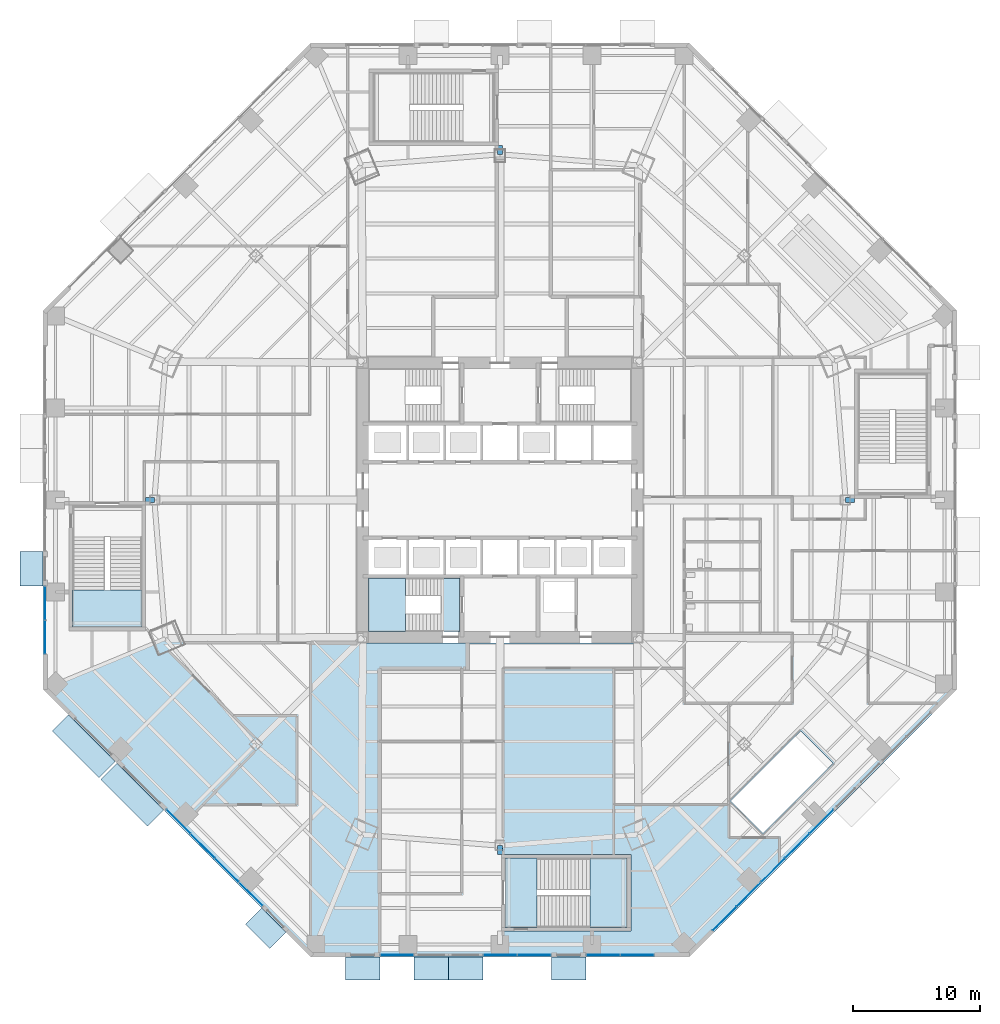
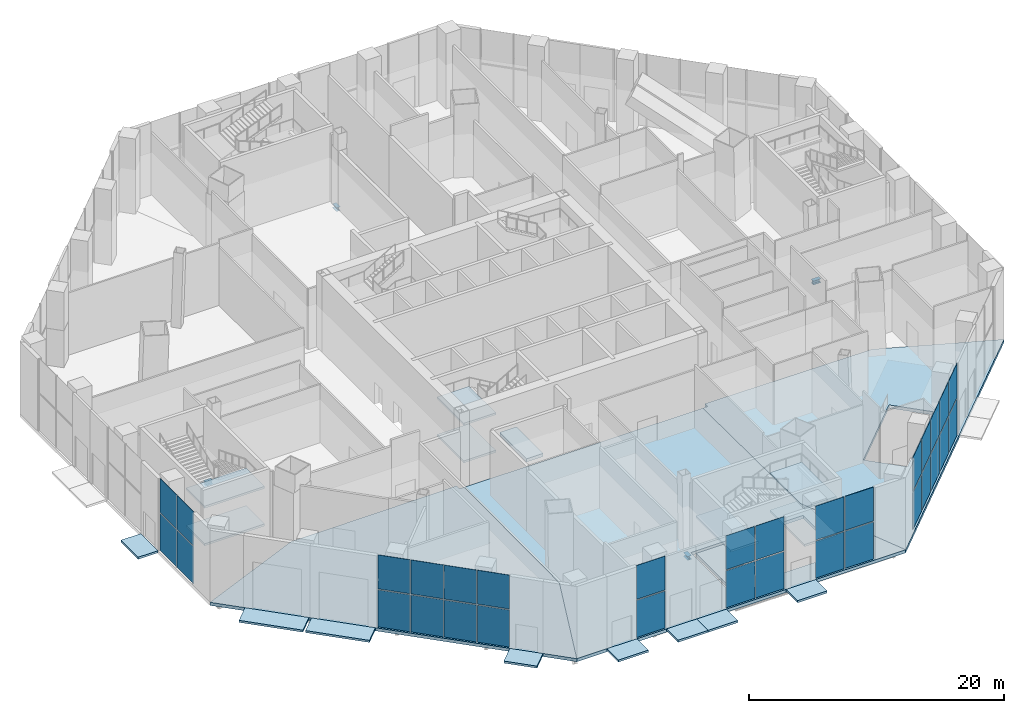
# One storey, part 16 of 35: 32 plates, 20 slabs, 4 members, 9 elements without a shape of their own.
"""IFC4 building model written with IfcOpenShell, lengths in metres."""

from ifc_helpers import new_model, si_unit, direction, frame, origin, origin_2d, place, context, subcontext, project, spatial, polyline, rectangle, i_section, outline, extrude, source, transform, mapped, material, layer, layer_set, material_profile, profile_set, type_object, type_shapes, element, aggregate, save


model = new_model("IFC4")

# Units and contexts
model_context = context("Model", 3, precision=1e-05, world=origin(), true_north=direction((0.0, 1.0)))
body_context = subcontext(model_context, "Body", "Model", "MODEL_VIEW")
ifc_project = project(units=[si_unit("LENGTHUNIT", "METRE"), si_unit("AREAUNIT", "SQUARE_METRE"), si_unit("VOLUMEUNIT", "CUBIC_METRE"), si_unit("PLANEANGLEUNIT", "RADIAN"), si_unit("MASSUNIT", "GRAM", prefix="KILO")], contexts=[model_context])

# Site, building, storey
site_placement = place(None, origin())
site = spatial("IfcSite", under=ifc_project, at=site_placement, CompositionType="ELEMENT")
building_placement = place(site_placement, origin())
building = spatial("IfcBuilding", under=site, at=building_placement, Name="Mashrafa Tower", CompositionType="ELEMENT")
storey_placement = place(building_placement, origin())
storey = spatial("IfcBuildingStorey", under=building, at=storey_placement, Name="L00", CompositionType="ELEMENT", Elevation=0.0)

# Members
ifc_material_1 = material(Name="Steel ASTM A992", Category="steel")
ifc_material_profile = material_profile(ifc_material_1, i_section(OverallWidth=0.368408203125, OverallDepth=0.355712890625, WebThickness=0.01123046875, FlangeThickness=0.01806640625, FilletRadius=0.01513671875, at=origin_2d()), Name="W14X90")
ifc_profile_set = profile_set([ifc_material_profile], Name="Steel ASTM A992")
member_type = type_object("IfcMemberType", Name="Tie strut W14X90", PredefinedType="STRUT", material=ifc_profile_set)
shared_shape_1 = source(origin(), body_context, "Body", "SweptSolid", [
    extrude(i_section(OverallWidth=0.368408203125, OverallDepth=0.355712890625, WebThickness=0.01123046875, FlangeThickness=0.01806640625, FilletRadius=0.01513671875, at=origin_2d()), origin(), (0.0, 0.0, 1.0), 0.6767578125),
])
type_shapes(member_type, [shared_shape_1])
for number, where, z_axis, x_axis, name in (
    (1, (-27.22314453125, 0.0, -0.477783203125), (-1.0, 0.0, 0.0), (0.0, -1.0, 0.0), "Tie strut L00 142"),
    (2, (0.0, -27.22314453125, -0.477783203125), (0.0, -1.0, 0.0), (1.0, 0.0, 0.0), "Tie strut L00 159"),
    (3, (0.0, 27.22314453125, -0.477783203125), (0.0, 1.0, 0.0), (-1.0, 0.0, 0.0), "Tie strut L00 160"),
    (4, (27.22314453125, 0.0, -0.477783203125), (1.0, 0.0, 0.0), (0.0, 1.0, 0.0), "Tie strut L00 178"),
):
    element("IfcMember", number, at=place(storey_placement, frame(where, z_axis=z_axis, x_axis=x_axis)), inside=storey, type_object=member_type, Name=name, PredefinedType="STRUT", context=body_context, shape_type="MappedRepresentation", body=[
        mapped(shared_shape_1, transform((0.0, 0.0, 0.0))),
    ])

# Slabs
ifc_material_2 = material(Name="Concrete C35/45", Category="concrete")
ifc_layer_1 = layer(ifc_material_2, 0.169921875)
ifc_material_3 = material(Name="Limestone paving", Category="masonry")
ifc_layer_2 = layer(ifc_material_3, 0.030029296875)
ifc_layer_set_1 = layer_set([ifc_layer_1, ifc_layer_2], Name="Exterior entrance landing 200")
slab_type_1 = type_object("IfcSlabType", Name="Exterior entrance landing 200", PredefinedType="LANDING", material=ifc_layer_set_1)
slab_1_placement = place(storey_placement, frame((0.0, 0.0, -0.199951171875)))
element("IfcSlab", 5, at=slab_1_placement, inside=storey, type_object=slab_type_1, Name="Exterior landing Stair P3 exit discharge west", PredefinedType="LANDING", context=body_context, shape_type="SweptSolid", body=[
    extrude(outline(polyline([(-37.800048828125, -4.055419921875), (-37.800048828125, -6.75927734375), (-36.0, -6.75927734375), (-36.0, -4.055419921875), (-37.800048828125, -4.055419921875)])), origin(), (0.0, 0.0, 1.0), 0.199951171875),
])
slab_2_placement = place(storey_placement, frame((0.0, 0.0, -0.199951171875)))
element("IfcSlab", 6, at=slab_2_placement, inside=storey, type_object=slab_type_1, Name="Exterior landing Loading dock south-west", PredefinedType="LANDING", context=body_context, shape_type="SweptSolid", body=[
    extrude(outline(polyline([(-35.25830078125, -18.198974609375), (-31.58154296875, -21.875732421875), (-30.30859375, -20.60302734375), (-33.985595703125, -16.926025390625), (-35.25830078125, -18.198974609375)])), origin(), (0.0, 0.0, 1.0), 0.199951171875),
])
slab_3_placement = place(storey_placement, frame((0.0, 0.0, -0.199951171875)))
element("IfcSlab", 7, at=slab_3_placement, inside=storey, type_object=slab_type_1, Name="Exterior landing Loading dock south-west", PredefinedType="LANDING", context=body_context, shape_type="SweptSolid", body=[
    extrude(outline(polyline([(-31.434814453125, -22.0224609375), (-27.7578125, -25.699462890625), (-26.485107421875, -24.426513671875), (-30.162109375, -20.749755859375), (-31.434814453125, -22.0224609375)])), origin(), (0.0, 0.0, 1.0), 0.199951171875),
])
slab_4_placement = place(storey_placement, frame((0.0, 0.0, -0.199951171875)))
element("IfcSlab", 8, at=slab_4_placement, inside=storey, type_object=slab_type_1, Name="Exterior landing Service entrance south-west", PredefinedType="LANDING", context=body_context, shape_type="SweptSolid", body=[
    extrude(outline(polyline([(-20.037353515625, -33.419921875), (-18.12548828125, -35.331787109375), (-16.852783203125, -34.058837890625), (-18.7646484375, -32.147216796875), (-20.037353515625, -33.419921875)])), origin(), (0.0, 0.0, 1.0), 0.199951171875),
])
slab_5_placement = place(storey_placement, frame((0.0, 0.0, -0.199951171875)))
element("IfcSlab", 9, at=slab_5_placement, inside=storey, type_object=slab_type_1, Name="Exterior landing Stair S3 exit discharge south", PredefinedType="LANDING", context=body_context, shape_type="SweptSolid", body=[
    extrude(outline(polyline([(-12.16650390625, -37.800048828125), (-9.462890625, -37.800048828125), (-9.462890625, -36.0), (-12.16650390625, -36.0), (-12.16650390625, -37.800048828125)])), origin(), (0.0, 0.0, 1.0), 0.199951171875),
])
slab_6_placement = place(storey_placement, frame((0.0, 0.0, -0.199951171875)))
element("IfcSlab", 10, at=slab_6_placement, inside=storey, type_object=slab_type_1, Name="Exterior landing Apartment lobby entrance south", PredefinedType="LANDING", context=body_context, shape_type="SweptSolid", body=[
    extrude(outline(polyline([(-6.75927734375, -37.800048828125), (-4.055419921875, -37.800048828125), (-4.055419921875, -36.0), (-6.75927734375, -36.0), (-6.75927734375, -37.800048828125)])), origin(), (0.0, 0.0, 1.0), 0.199951171875),
])
slab_7_placement = place(storey_placement, frame((0.0, 0.0, -0.199951171875)))
element("IfcSlab", 11, at=slab_7_placement, inside=storey, type_object=slab_type_1, Name="Exterior landing Apartment lobby entrance south", PredefinedType="LANDING", context=body_context, shape_type="SweptSolid", body=[
    extrude(outline(polyline([(-4.055419921875, -37.800048828125), (-1.351806640625, -37.800048828125), (-1.351806640625, -36.0), (-4.055419921875, -36.0), (-4.055419921875, -37.800048828125)])), origin(), (0.0, 0.0, 1.0), 0.199951171875),
])
slab_8_placement = place(storey_placement, frame((0.0, 0.0, -0.199951171875)))
element("IfcSlab", 12, at=slab_8_placement, inside=storey, type_object=slab_type_1, Name="Exterior landing Stair P4 exit discharge south", PredefinedType="LANDING", context=body_context, shape_type="SweptSolid", body=[
    extrude(outline(polyline([(4.055419921875, -37.800048828125), (6.75927734375, -37.800048828125), (6.75927734375, -36.0), (4.055419921875, -36.0), (4.055419921875, -37.800048828125)])), origin(), (0.0, 0.0, 1.0), 0.199951171875),
])
ifc_material_4 = material(Name="Concrete C35/45", Category="concrete")
ifc_layer_3 = layer(ifc_material_4, 0.300048828125)
ifc_layer_set_2 = layer_set([ifc_layer_3], Name="Floor slab 300")
slab_type_2 = type_object("IfcSlabType", Name="Floor slab 300", PredefinedType="FLOOR", material=ifc_layer_set_2)
slab_9_placement = place(storey_placement, frame((0.0, 0.0, -0.300048828125)))
element("IfcSlab", 13, at=slab_9_placement, inside=storey, type_object=slab_type_2, Name="Floor slab L00 south-west bay", PredefinedType="FLOOR", context=body_context, shape_type="SweptSolid", body=[
    extrude(outline(polyline([(-36.0, -14.91162109375), (-35.0, -14.49755859375), (-26.344970703125, -10.91259765625), (-11.25, -10.80322265625), (-11.25, -11.25), (-10.80322265625, -11.25), (-10.91259765625, -26.344970703125), (-14.49755859375, -35.0), (-14.91162109375, -36.0), (-36.0, -14.91162109375)])), origin(), (0.0, 0.0, 1.0), 0.300048828125),
])
slab_10_placement = place(storey_placement, frame((0.0, 0.0, -0.300048828125)))
element("IfcSlab", 14, at=slab_10_placement, inside=storey, type_object=slab_type_2, Name="Floor slab L00 south bay", PredefinedType="FLOOR", context=body_context, shape_type="SweptSolid", body=[
    extrude(outline(polyline([(-14.91162109375, -36.0), (-14.91162109375, -36.0), (-14.49755859375, -35.0), (-10.91259765625, -26.344970703125), (-10.80322265625, -11.25), (10.80322265625, -11.25), (10.91259765625, -26.344970703125), (14.49755859375, -35.0), (14.91162109375, -36.0), (14.91162109375, -36.0), (-14.91162109375, -36.0)]), holes=[polyline([(10.300048828125, -33.949951171875), (10.300048828125, -27.89990234375), (0.10009765625, -27.89990234375), (0.10009765625, -33.949951171875), (10.300048828125, -33.949951171875)])]), origin(), (0.0, 0.0, 1.0), 0.300048828125),
])
slab_11_placement = place(storey_placement, frame((0.0, 0.0, -0.300048828125)))
element("IfcSlab", 15, at=slab_11_placement, inside=storey, type_object=slab_type_2, Name="Floor slab L00 south-east bay", PredefinedType="FLOOR", context=body_context, shape_type="SweptSolid", body=[
    extrude(outline(polyline([(14.91162109375, -36.0), (14.49755859375, -35.0), (10.91259765625, -26.344970703125), (10.80322265625, -11.25), (11.25, -11.25), (11.25, -10.80322265625), (26.344970703125, -10.91259765625), (35.0, -14.49755859375), (36.0, -14.91162109375), (14.91162109375, -36.0)]), holes=[polyline([(18.172607421875, -23.68798828125), (20.71826171875, -26.233642578125), (26.2294921875, -20.722412109375), (23.68408203125, -18.1767578125), (18.172607421875, -23.68798828125)])]), origin(), (0.0, 0.0, 1.0), 0.300048828125),
])

# Stair, slabs
ifc_material_5 = material(Name="Exit stair 1400")
stair_type_1 = type_object("IfcStairType", Name="Exit stair 1400", PredefinedType="HALF_TURN_STAIR", material=ifc_material_5)
stair_1_placement = place(storey_placement, origin())
stair_1 = element("IfcStair", 16, at=stair_1_placement, inside=storey, type_object=stair_type_1, Name="Stair S3 L00", PredefinedType="HALF_TURN_STAIR")
ifc_material_6 = material(Name="Concrete C32/40", Category="concrete")
ifc_layer_4 = layer(ifc_material_6, 0.199951171875)
ifc_layer_set_3 = layer_set([ifc_layer_4], Name="Stair landing 200")
slab_type_3 = type_object("IfcSlabType", Name="Stair landing 200", PredefinedType="LANDING", material=ifc_layer_set_3)
slab_12_placement = place(storey_placement, frame((0.0, 0.0, 1.60009765625)))
slab_12 = element("IfcSlab", 17, at=slab_12_placement, type_object=slab_type_3, Name="S3 landing 2", PredefinedType="LANDING", context=body_context, shape_type="SweptSolid", body=[
    extrude(outline(polyline([(-10.35009765625, -10.35009765625), (-7.43994140625, -10.35009765625), (-7.43994140625, -6.14990234375), (-10.35009765625, -6.14990234375), (-10.35009765625, -10.35009765625)])), origin(), (0.0, 0.0, 1.0), 0.199951171875),
])
slab_13_placement = place(storey_placement, frame((0.0, 0.0, 5.199951171875)))
slab_13 = element("IfcSlab", 18, at=slab_13_placement, type_object=slab_type_3, Name="S3 landing 4", PredefinedType="LANDING", context=body_context, shape_type="SweptSolid", body=[
    extrude(outline(polyline([(-10.35009765625, -10.35009765625), (-7.43994140625, -10.35009765625), (-7.43994140625, -6.14990234375), (-10.35009765625, -6.14990234375), (-10.35009765625, -10.35009765625)])), origin(), (0.0, 0.0, 1.0), 0.199951171875),
])

ifc_material_7 = material(Name="Exit stair 2500")
stair_type_2 = type_object("IfcStairType", Name="Exit stair 2500", PredefinedType="HALF_TURN_STAIR", material=ifc_material_7)
stair_2_placement = place(storey_placement, origin())
stair_2 = element("IfcStair", 19, at=stair_2_placement, inside=storey, type_object=stair_type_2, Name="Stair P3 L00", PredefinedType="HALF_TURN_STAIR")
slab_14_placement = place(storey_placement, frame((0.0, 0.0, 1.60009765625)))
slab_14 = element("IfcSlab", 20, at=slab_14_placement, type_object=slab_type_3, Name="P3 landing 2", PredefinedType="LANDING", context=body_context, shape_type="SweptSolid", body=[
    extrude(outline(polyline([(-28.199951171875, -10.0), (-28.199951171875, -7.090087890625), (-33.64990234375, -7.090087890625), (-33.64990234375, -10.0), (-28.199951171875, -10.0)])), origin(), (0.0, 0.0, 1.0), 0.199951171875),
])
slab_15_placement = place(storey_placement, frame((0.0, 0.0, 5.199951171875)))
slab_15 = element("IfcSlab", 21, at=slab_15_placement, type_object=slab_type_3, Name="P3 landing 4", PredefinedType="LANDING", context=body_context, shape_type="SweptSolid", body=[
    extrude(outline(polyline([(-28.199951171875, -10.0), (-28.199951171875, -7.090087890625), (-33.64990234375, -7.090087890625), (-33.64990234375, -10.0), (-28.199951171875, -10.0)])), origin(), (0.0, 0.0, 1.0), 0.199951171875),
])
aggregate(stair_2, [slab_14, slab_15])

stair_3_placement = place(storey_placement, origin())
stair_3 = element("IfcStair", 22, at=stair_3_placement, inside=storey, type_object=stair_type_2, Name="Stair P4 L00", PredefinedType="HALF_TURN_STAIR")
slab_16_placement = place(storey_placement, frame((0.0, 0.0, 1.60009765625)))
slab_16 = element("IfcSlab", 23, at=slab_16_placement, type_object=slab_type_3, Name="P4 landing 2", PredefinedType="LANDING", context=body_context, shape_type="SweptSolid", body=[
    extrude(outline(polyline([(7.090087890625, -33.64990234375), (10.0, -33.64990234375), (10.0, -28.199951171875), (7.090087890625, -28.199951171875), (7.090087890625, -33.64990234375)])), origin(), (0.0, 0.0, 1.0), 0.199951171875),
])
slab_17_placement = place(storey_placement, frame((0.0, 0.0, 3.39990234375)))
slab_17 = element("IfcSlab", 24, at=slab_17_placement, type_object=slab_type_3, Name="P4 landing 3", PredefinedType="LANDING", context=body_context, shape_type="SweptSolid", body=[
    extrude(outline(polyline([(0.39990234375, -33.64990234375), (2.909912109375, -33.64990234375), (2.909912109375, -28.199951171875), (0.39990234375, -28.199951171875), (0.39990234375, -33.64990234375)])), origin(), (0.0, 0.0, 1.0), 0.2001953125),
])
slab_18_placement = place(storey_placement, frame((0.0, 0.0, 5.199951171875)))
slab_18 = element("IfcSlab", 25, at=slab_18_placement, type_object=slab_type_3, Name="P4 landing 4", PredefinedType="LANDING", context=body_context, shape_type="SweptSolid", body=[
    extrude(outline(polyline([(7.090087890625, -33.64990234375), (10.0, -33.64990234375), (10.0, -28.199951171875), (7.090087890625, -28.199951171875), (7.090087890625, -33.64990234375)])), origin(), (0.0, 0.0, 1.0), 0.199951171875),
])

# Slab
ifc_material_8 = material(Name="Concrete C32/40", Category="concrete")
ifc_layer_5 = layer(ifc_material_8, 0.300048828125)
ifc_layer_set_4 = layer_set([ifc_layer_5], Name="Stair landing 300")
slab_type_4 = type_object("IfcSlabType", Name="Stair landing 300", PredefinedType="LANDING", material=ifc_layer_set_4)
slab_19_placement = place(storey_placement, frame((0.0, 0.0, -0.300048828125)))
slab_19 = element("IfcSlab", 26, at=slab_19_placement, type_object=slab_type_4, Name="S3 landing 1", PredefinedType="LANDING", context=body_context, shape_type="SweptSolid", body=[
    extrude(outline(polyline([(-4.659912109375, -10.35009765625), (-3.14990234375, -10.35009765625), (-3.14990234375, -6.14990234375), (-4.659912109375, -6.14990234375), (-4.659912109375, -10.35009765625)])), origin(), (0.0, 0.0, 1.0), 0.300048828125),
])

aggregate(stair_1, [slab_19, slab_12, slab_13])

slab_20_placement = place(storey_placement, frame((0.0, 0.0, -0.300048828125)))
slab_20 = element("IfcSlab", 27, at=slab_20_placement, type_object=slab_type_4, Name="P4 landing 1", PredefinedType="LANDING", context=body_context, shape_type="SweptSolid", body=[
    extrude(outline(polyline([(0.39990234375, -33.64990234375), (2.909912109375, -33.64990234375), (2.909912109375, -28.199951171875), (0.39990234375, -28.199951171875), (0.39990234375, -33.64990234375)])), origin(), (0.0, 0.0, 1.0), 0.300048828125),
])

aggregate(stair_3, [slab_20, slab_16, slab_17, slab_18])

# Curtain wall, plates
ifc_material_9 = material(Name="Unitised aluminium curtain wall", Category="aluminium")
curtain_wall_type = type_object("IfcCurtainWallType", Name="Podium storefront CW-P 150 deep", PredefinedType="NOTDEFINED", material=ifc_material_9)
curtain_wall_1_placement = place(storey_placement, origin())
curtain_wall_1 = element("IfcCurtainWall", 28, at=curtain_wall_1_placement, inside=storey, type_object=curtain_wall_type, Name="Podium storefront L00 west part 3", PredefinedType="NOTDEFINED")
ifc_material_10 = material(Name="Laminated storefront glazing", Category="glass")
ifc_layer_6 = layer(ifc_material_10, 0.028076171875)
ifc_layer_set_5 = layer_set([ifc_layer_6], Name="Vision panel CW-P 28")
plate_type_1 = type_object("IfcPlateType", Name="Vision panel CW-P 28", PredefinedType="CURTAIN_PANEL", material=ifc_layer_set_5)
shared_shape_2 = source(origin(), body_context, "Body", "SweptSolid", [
    extrude(rectangle(XDim=2.606201171875, YDim=0.028076171875, at=origin_2d()), origin(), (0.0, 0.0, 1.0), 3.550048828125),
])
plate_1_placement = place(storey_placement, frame((-35.824951171875, -8.127197265625, 0.0), z_axis=(0.0, 0.0, 1.0), x_axis=(0.0, -1.0, 0.0)))
plate_1 = element("IfcPlate", 29, at=plate_1_placement, type_object=plate_type_1, Name="CW-P vision panel 1", PredefinedType="CURTAIN_PANEL", context=body_context, shape_type="MappedRepresentation", body=[
    mapped(shared_shape_2, transform((0.0, 0.0, 0.0))),
])
plate_2_placement = place(storey_placement, frame((-35.824951171875, -10.798583984375, 0.0), z_axis=(0.0, 0.0, 1.0), x_axis=(0.0, -1.0, 0.0)))
plate_2 = element("IfcPlate", 30, at=plate_2_placement, type_object=plate_type_1, Name="CW-P vision panel 2", PredefinedType="CURTAIN_PANEL", context=body_context, shape_type="MappedRepresentation", body=[
    mapped(shared_shape_2, transform((0.0, 0.0, 0.0))),
])

curtain_wall_2_placement = place(storey_placement, origin())
curtain_wall_2 = element("IfcCurtainWall", 31, at=curtain_wall_2_placement, inside=storey, type_object=curtain_wall_type, Name="Podium storefront L00 south-west part 1", PredefinedType="NOTDEFINED")
plate_3_placement = place(storey_placement, frame((-25.320556640625, -25.343505859375, 0.0), z_axis=(0.0, 0.0, 1.0), x_axis=(0.707106781187, -0.707106781187, 0.0)))
plate_3 = element("IfcPlate", 32, at=plate_3_placement, type_object=plate_type_1, Name="CW-P vision panel 1", PredefinedType="CURTAIN_PANEL", context=body_context, shape_type="MappedRepresentation", body=[
    mapped(shared_shape_2, transform((0.0, 0.0, 0.0))),
])
plate_4_placement = place(storey_placement, frame((-19.608154296875, -31.055908203125, 0.0), z_axis=(0.0, 0.0, 1.0), x_axis=(0.707106781187, -0.707106781187, 0.0)))
plate_4 = element("IfcPlate", 33, at=plate_4_placement, type_object=plate_type_1, Name="CW-P vision panel 4", PredefinedType="CURTAIN_PANEL", context=body_context, shape_type="MappedRepresentation", body=[
    mapped(shared_shape_2, transform((0.0, 0.0, 0.0))),
])

curtain_wall_3_placement = place(storey_placement, origin())
curtain_wall_3 = element("IfcCurtainWall", 34, at=curtain_wall_3_placement, inside=storey, type_object=curtain_wall_type, Name="Podium storefront L00 south part 2", PredefinedType="NOTDEFINED")
plate_5_placement = place(storey_placement, frame((0.016357421875, -35.824951171875, 0.0), z_axis=(0.0, 0.0, 1.0), x_axis=(1.0, 0.0, 0.0)))
plate_5 = element("IfcPlate", 35, at=plate_5_placement, type_object=plate_type_1, Name="CW-P vision panel 1", PredefinedType="CURTAIN_PANEL", context=body_context, shape_type="MappedRepresentation", body=[
    mapped(shared_shape_2, transform((0.0, 0.0, 0.0))),
])
plate_6_placement = place(storey_placement, frame((2.6875, -35.824951171875, 0.0), z_axis=(0.0, 0.0, 1.0), x_axis=(1.0, 0.0, 0.0)))
plate_6 = element("IfcPlate", 36, at=plate_6_placement, type_object=plate_type_1, Name="CW-P vision panel 2", PredefinedType="CURTAIN_PANEL", context=body_context, shape_type="MappedRepresentation", body=[
    mapped(shared_shape_2, transform((0.0, 0.0, 0.0))),
])

curtain_wall_4_placement = place(storey_placement, origin())
curtain_wall_4 = element("IfcCurtainWall", 37, at=curtain_wall_4_placement, inside=storey, type_object=curtain_wall_type, Name="Podium storefront L00 south part 3", PredefinedType="NOTDEFINED")
plate_7_placement = place(storey_placement, frame((8.127197265625, -35.824951171875, 0.0), z_axis=(0.0, 0.0, 1.0), x_axis=(1.0, 0.0, 0.0)))
plate_7 = element("IfcPlate", 38, at=plate_7_placement, type_object=plate_type_1, Name="CW-P vision panel 1", PredefinedType="CURTAIN_PANEL", context=body_context, shape_type="MappedRepresentation", body=[
    mapped(shared_shape_2, transform((0.0, 0.0, 0.0))),
])
plate_8_placement = place(storey_placement, frame((10.798583984375, -35.824951171875, 0.0), z_axis=(0.0, 0.0, 1.0), x_axis=(1.0, 0.0, 0.0)))
plate_8 = element("IfcPlate", 39, at=plate_8_placement, type_object=plate_type_1, Name="CW-P vision panel 2", PredefinedType="CURTAIN_PANEL", context=body_context, shape_type="MappedRepresentation", body=[
    mapped(shared_shape_2, transform((0.0, 0.0, 0.0))),
])

curtain_wall_5_placement = place(storey_placement, origin())
curtain_wall_5 = element("IfcCurtainWall", 40, at=curtain_wall_5_placement, inside=storey, type_object=curtain_wall_type, Name="Podium storefront L00 south-east part 1", PredefinedType="NOTDEFINED")
plate_9_placement = place(storey_placement, frame((17.696533203125, -32.9677734375, 0.0), z_axis=(0.0, 0.0, 1.0), x_axis=(0.707106781187, 0.707106781187, 0.0)))
plate_9 = element("IfcPlate", 41, at=plate_9_placement, type_object=plate_type_1, Name="CW-P vision panel 1", PredefinedType="CURTAIN_PANEL", context=body_context, shape_type="MappedRepresentation", body=[
    mapped(shared_shape_2, transform((0.0, 0.0, 0.0))),
])
plate_10_placement = place(storey_placement, frame((25.320556640625, -25.343505859375, 0.0), z_axis=(0.0, 0.0, 1.0), x_axis=(0.707106781187, 0.707106781187, 0.0)))
plate_10 = element("IfcPlate", 42, at=plate_10_placement, type_object=plate_type_1, Name="CW-P vision panel 5", PredefinedType="CURTAIN_PANEL", context=body_context, shape_type="MappedRepresentation", body=[
    mapped(shared_shape_2, transform((0.0, 0.0, 0.0))),
])

# Plate
ifc_material_11 = material(Name="Laminated transom glazing", Category="glass")
ifc_layer_7 = layer(ifc_material_11, 0.02392578125)
ifc_layer_set_6 = layer_set([ifc_layer_7], Name="Transom light panel CW-P 24")
plate_type_2 = type_object("IfcPlateType", Name="Transom light panel CW-P 24", PredefinedType="CURTAIN_PANEL", material=ifc_layer_set_6)
shared_shape_3 = source(origin(), body_context, "Body", "SweptSolid", [
    extrude(rectangle(XDim=2.606201171875, YDim=0.02392578125, at=origin_2d()), origin(), (0.0, 0.0, 1.0), 3.25),
])
plate_11_placement = place(storey_placement, frame((-35.824951171875, -8.127197265625, 3.64990234375), z_axis=(0.0, 0.0, 1.0), x_axis=(0.0, -1.0, 0.0)))
plate_11 = element("IfcPlate", 43, at=plate_11_placement, type_object=plate_type_2, Name="CW-P transom light panel 1", PredefinedType="CURTAIN_PANEL", context=body_context, shape_type="MappedRepresentation", body=[
    mapped(shared_shape_3, transform((0.0, 0.0, 0.0))),
])

plate_12_placement = place(storey_placement, frame((-35.824951171875, -10.798583984375, 3.64990234375), z_axis=(0.0, 0.0, 1.0), x_axis=(0.0, -1.0, 0.0)))
plate_12 = element("IfcPlate", 44, at=plate_12_placement, type_object=plate_type_2, Name="CW-P transom light panel 2", PredefinedType="CURTAIN_PANEL", context=body_context, shape_type="MappedRepresentation", body=[
    mapped(shared_shape_3, transform((0.0, 0.0, 0.0))),
])

aggregate(curtain_wall_1, [plate_1, plate_11, plate_2, plate_12])

plate_13_placement = place(storey_placement, frame((-25.320556640625, -25.343505859375, 3.64990234375), z_axis=(0.0, 0.0, 1.0), x_axis=(0.707106781187, -0.707106781187, 0.0)))
plate_13 = element("IfcPlate", 45, at=plate_13_placement, type_object=plate_type_2, Name="CW-P transom light panel 1", PredefinedType="CURTAIN_PANEL", context=body_context, shape_type="MappedRepresentation", body=[
    mapped(shared_shape_3, transform((0.0, 0.0, 0.0))),
])

plate_14_placement = place(storey_placement, frame((-19.608154296875, -31.055908203125, 3.64990234375), z_axis=(0.0, 0.0, 1.0), x_axis=(0.707106781187, -0.707106781187, 0.0)))
plate_14 = element("IfcPlate", 46, at=plate_14_placement, type_object=plate_type_2, Name="CW-P transom light panel 4", PredefinedType="CURTAIN_PANEL", context=body_context, shape_type="MappedRepresentation", body=[
    mapped(shared_shape_3, transform((0.0, 0.0, 0.0))),
])

plate_15_placement = place(storey_placement, frame((0.016357421875, -35.824951171875, 3.64990234375), z_axis=(0.0, 0.0, 1.0), x_axis=(1.0, 0.0, 0.0)))
plate_15 = element("IfcPlate", 47, at=plate_15_placement, type_object=plate_type_2, Name="CW-P transom light panel 1", PredefinedType="CURTAIN_PANEL", context=body_context, shape_type="MappedRepresentation", body=[
    mapped(shared_shape_3, transform((0.0, 0.0, 0.0))),
])

plate_16_placement = place(storey_placement, frame((2.6875, -35.824951171875, 3.64990234375), z_axis=(0.0, 0.0, 1.0), x_axis=(1.0, 0.0, 0.0)))
plate_16 = element("IfcPlate", 48, at=plate_16_placement, type_object=plate_type_2, Name="CW-P transom light panel 2", PredefinedType="CURTAIN_PANEL", context=body_context, shape_type="MappedRepresentation", body=[
    mapped(shared_shape_3, transform((0.0, 0.0, 0.0))),
])

aggregate(curtain_wall_3, [plate_5, plate_15, plate_6, plate_16])

plate_17_placement = place(storey_placement, frame((8.127197265625, -35.824951171875, 3.64990234375), z_axis=(0.0, 0.0, 1.0), x_axis=(1.0, 0.0, 0.0)))
plate_17 = element("IfcPlate", 49, at=plate_17_placement, type_object=plate_type_2, Name="CW-P transom light panel 1", PredefinedType="CURTAIN_PANEL", context=body_context, shape_type="MappedRepresentation", body=[
    mapped(shared_shape_3, transform((0.0, 0.0, 0.0))),
])

plate_18_placement = place(storey_placement, frame((10.798583984375, -35.824951171875, 3.64990234375), z_axis=(0.0, 0.0, 1.0), x_axis=(1.0, 0.0, 0.0)))
plate_18 = element("IfcPlate", 50, at=plate_18_placement, type_object=plate_type_2, Name="CW-P transom light panel 2", PredefinedType="CURTAIN_PANEL", context=body_context, shape_type="MappedRepresentation", body=[
    mapped(shared_shape_3, transform((0.0, 0.0, 0.0))),
])

aggregate(curtain_wall_4, [plate_7, plate_17, plate_8, plate_18])

plate_19_placement = place(storey_placement, frame((17.696533203125, -32.9677734375, 3.64990234375), z_axis=(0.0, 0.0, 1.0), x_axis=(0.707106781187, 0.707106781187, 0.0)))
plate_19 = element("IfcPlate", 51, at=plate_19_placement, type_object=plate_type_2, Name="CW-P transom light panel 1", PredefinedType="CURTAIN_PANEL", context=body_context, shape_type="MappedRepresentation", body=[
    mapped(shared_shape_3, transform((0.0, 0.0, 0.0))),
])

plate_20_placement = place(storey_placement, frame((25.320556640625, -25.343505859375, 3.64990234375), z_axis=(0.0, 0.0, 1.0), x_axis=(0.707106781187, 0.707106781187, 0.0)))
plate_20 = element("IfcPlate", 52, at=plate_20_placement, type_object=plate_type_2, Name="CW-P transom light panel 5", PredefinedType="CURTAIN_PANEL", context=body_context, shape_type="MappedRepresentation", body=[
    mapped(shared_shape_3, transform((0.0, 0.0, 0.0))),
])

# Curtain wall, plates
curtain_wall_6_placement = place(storey_placement, origin())
curtain_wall_6 = element("IfcCurtainWall", 53, at=curtain_wall_6_placement, inside=storey, type_object=curtain_wall_type, Name="Podium storefront L00 south part 1", PredefinedType="NOTDEFINED")
shared_shape_4 = source(origin(), body_context, "Body", "SweptSolid", [
    extrude(rectangle(XDim=2.57373046875, YDim=0.028076171875, at=origin_2d()), origin(), (0.0, 0.0, 1.0), 3.550048828125),
])
plate_21_placement = place(storey_placement, frame((-8.111083984375, -35.824951171875, 0.0), z_axis=(0.0, 0.0, 1.0), x_axis=(1.0, 0.0, 0.0)))
plate_21 = element("IfcPlate", 54, at=plate_21_placement, type_object=plate_type_1, Name="CW-P vision panel 1", PredefinedType="CURTAIN_PANEL", context=body_context, shape_type="MappedRepresentation", body=[
    mapped(shared_shape_4, transform((0.0, 0.0, 0.0))),
])
shared_shape_5 = source(origin(), body_context, "Body", "SweptSolid", [
    extrude(rectangle(XDim=2.57373046875, YDim=0.02392578125, at=origin_2d()), origin(), (0.0, 0.0, 1.0), 3.25),
])
plate_22_placement = place(storey_placement, frame((-8.111083984375, -35.824951171875, 3.64990234375), z_axis=(0.0, 0.0, 1.0), x_axis=(1.0, 0.0, 0.0)))
plate_22 = element("IfcPlate", 55, at=plate_22_placement, type_object=plate_type_2, Name="CW-P transom light panel 1", PredefinedType="CURTAIN_PANEL", context=body_context, shape_type="MappedRepresentation", body=[
    mapped(shared_shape_5, transform((0.0, 0.0, 0.0))),
])
aggregate(curtain_wall_6, [plate_21, plate_22])

# Plate
shared_shape_6 = source(origin(), body_context, "Body", "SweptSolid", [
    extrude(rectangle(XDim=2.638671875, YDim=0.028076171875, at=origin_2d()), origin(), (0.0, 0.0, 1.0), 3.550048828125),
])
type_shapes(plate_type_1, [shared_shape_2, shared_shape_4, shared_shape_6])
plate_23_placement = place(storey_placement, frame((-23.42041015625, -27.243896484375, 0.0), z_axis=(0.0, 0.0, 1.0), x_axis=(0.707106781187, -0.707106781187, 0.0)))
plate_23 = element("IfcPlate", 56, at=plate_23_placement, type_object=plate_type_1, Name="CW-P vision panel 2", PredefinedType="CURTAIN_PANEL", context=body_context, shape_type="MappedRepresentation", body=[
    mapped(shared_shape_6, transform((0.0, 0.0, 0.0))),
])

plate_24_placement = place(storey_placement, frame((-21.508544921875, -29.15576171875, 0.0), z_axis=(0.0, 0.0, 1.0), x_axis=(0.707106781187, -0.707106781187, 0.0)))
plate_24 = element("IfcPlate", 57, at=plate_24_placement, type_object=plate_type_1, Name="CW-P vision panel 3", PredefinedType="CURTAIN_PANEL", context=body_context, shape_type="MappedRepresentation", body=[
    mapped(shared_shape_6, transform((0.0, 0.0, 0.0))),
])

plate_25_placement = place(storey_placement, frame((19.5966796875, -31.0673828125, 0.0), z_axis=(0.0, 0.0, 1.0), x_axis=(0.707106781187, 0.707106781187, 0.0)))
plate_25 = element("IfcPlate", 58, at=plate_25_placement, type_object=plate_type_1, Name="CW-P vision panel 2", PredefinedType="CURTAIN_PANEL", context=body_context, shape_type="MappedRepresentation", body=[
    mapped(shared_shape_6, transform((0.0, 0.0, 0.0))),
])

plate_26_placement = place(storey_placement, frame((21.508544921875, -29.15576171875, 0.0), z_axis=(0.0, 0.0, 1.0), x_axis=(0.707106781187, 0.707106781187, 0.0)))
plate_26 = element("IfcPlate", 59, at=plate_26_placement, type_object=plate_type_1, Name="CW-P vision panel 3", PredefinedType="CURTAIN_PANEL", context=body_context, shape_type="MappedRepresentation", body=[
    mapped(shared_shape_6, transform((0.0, 0.0, 0.0))),
])

plate_27_placement = place(storey_placement, frame((23.42041015625, -27.243896484375, 0.0), z_axis=(0.0, 0.0, 1.0), x_axis=(0.707106781187, 0.707106781187, 0.0)))
plate_27 = element("IfcPlate", 60, at=plate_27_placement, type_object=plate_type_1, Name="CW-P vision panel 4", PredefinedType="CURTAIN_PANEL", context=body_context, shape_type="MappedRepresentation", body=[
    mapped(shared_shape_6, transform((0.0, 0.0, 0.0))),
])

shared_shape_7 = source(origin(), body_context, "Body", "SweptSolid", [
    extrude(rectangle(XDim=2.638671875, YDim=0.02392578125, at=origin_2d()), origin(), (0.0, 0.0, 1.0), 3.25),
])
type_shapes(plate_type_2, [shared_shape_3, shared_shape_5, shared_shape_7])
plate_28_placement = place(storey_placement, frame((-23.42041015625, -27.243896484375, 3.64990234375), z_axis=(0.0, 0.0, 1.0), x_axis=(0.707106781187, -0.707106781187, 0.0)))
plate_28 = element("IfcPlate", 61, at=plate_28_placement, type_object=plate_type_2, Name="CW-P transom light panel 2", PredefinedType="CURTAIN_PANEL", context=body_context, shape_type="MappedRepresentation", body=[
    mapped(shared_shape_7, transform((0.0, 0.0, 0.0))),
])

plate_29_placement = place(storey_placement, frame((-21.508544921875, -29.15576171875, 3.64990234375), z_axis=(0.0, 0.0, 1.0), x_axis=(0.707106781187, -0.707106781187, 0.0)))
plate_29 = element("IfcPlate", 62, at=plate_29_placement, type_object=plate_type_2, Name="CW-P transom light panel 3", PredefinedType="CURTAIN_PANEL", context=body_context, shape_type="MappedRepresentation", body=[
    mapped(shared_shape_7, transform((0.0, 0.0, 0.0))),
])

aggregate(curtain_wall_2, [plate_3, plate_13, plate_23, plate_28, plate_24, plate_29, plate_4, plate_14])

plate_30_placement = place(storey_placement, frame((19.5966796875, -31.0673828125, 3.64990234375), z_axis=(0.0, 0.0, 1.0), x_axis=(0.707106781187, 0.707106781187, 0.0)))
plate_30 = element("IfcPlate", 63, at=plate_30_placement, type_object=plate_type_2, Name="CW-P transom light panel 2", PredefinedType="CURTAIN_PANEL", context=body_context, shape_type="MappedRepresentation", body=[
    mapped(shared_shape_7, transform((0.0, 0.0, 0.0))),
])

plate_31_placement = place(storey_placement, frame((21.508544921875, -29.15576171875, 3.64990234375), z_axis=(0.0, 0.0, 1.0), x_axis=(0.707106781187, 0.707106781187, 0.0)))
plate_31 = element("IfcPlate", 64, at=plate_31_placement, type_object=plate_type_2, Name="CW-P transom light panel 3", PredefinedType="CURTAIN_PANEL", context=body_context, shape_type="MappedRepresentation", body=[
    mapped(shared_shape_7, transform((0.0, 0.0, 0.0))),
])

plate_32_placement = place(storey_placement, frame((23.42041015625, -27.243896484375, 3.64990234375), z_axis=(0.0, 0.0, 1.0), x_axis=(0.707106781187, 0.707106781187, 0.0)))
plate_32 = element("IfcPlate", 65, at=plate_32_placement, type_object=plate_type_2, Name="CW-P transom light panel 4", PredefinedType="CURTAIN_PANEL", context=body_context, shape_type="MappedRepresentation", body=[
    mapped(shared_shape_7, transform((0.0, 0.0, 0.0))),
])

aggregate(curtain_wall_5, [plate_9, plate_19, plate_25, plate_30, plate_26, plate_31, plate_27, plate_32, plate_10, plate_20])

save(model, "model.ifc")
